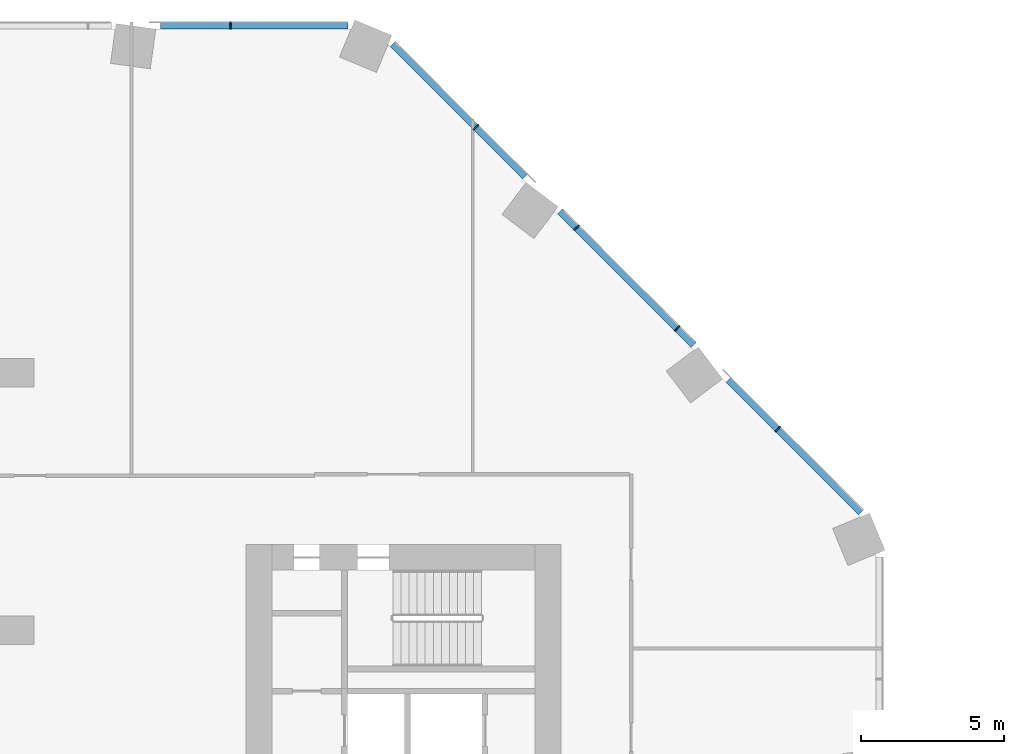
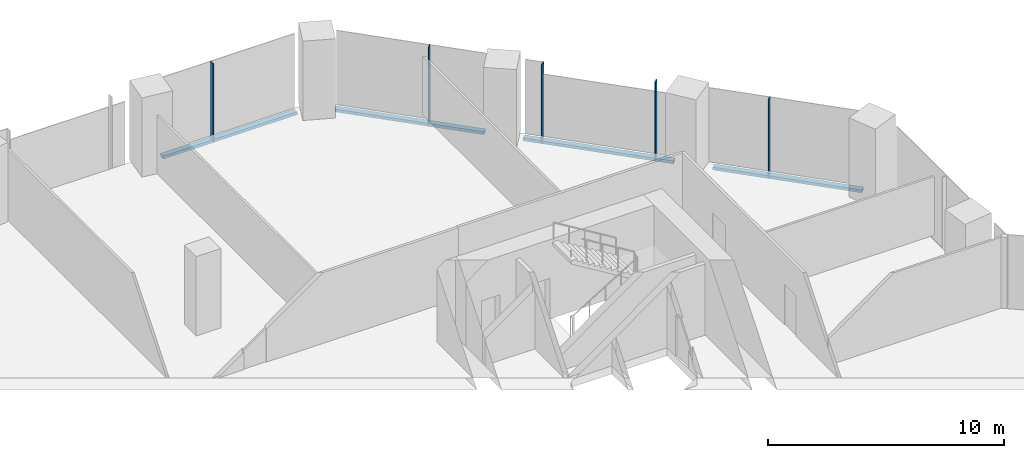
# One storey, part 11 of 29: 9 members, 2 elements without a shape of their own.
"""IFC4 building model written with IfcOpenShell, lengths in metres."""

from ifc_helpers import new_model, si_unit, direction, frame, origin, origin_2d, place, context, subcontext, project, spatial, rectangle, extrude, material, material_profile, profile_set, type_object, element, aggregate, save


model = new_model("IFC4")

# Units and contexts
model_context = context("Model", 3, precision=1e-05, world=origin(), true_north=direction((0.0, 1.0)))
body_context = subcontext(model_context, "Body", "Model", "MODEL_VIEW")
ifc_project = project(units=[si_unit("LENGTHUNIT", "METRE"), si_unit("AREAUNIT", "SQUARE_METRE"), si_unit("VOLUMEUNIT", "CUBIC_METRE"), si_unit("PLANEANGLEUNIT", "RADIAN"), si_unit("MASSUNIT", "GRAM", prefix="KILO")], contexts=[model_context])

# Site, building, storey
site_placement = place(None, origin())
site = spatial("IfcSite", under=ifc_project, at=site_placement, CompositionType="ELEMENT")
building_placement = place(site_placement, origin())
building = spatial("IfcBuilding", under=site, at=building_placement, Name="Orlundy Tower", CompositionType="ELEMENT")
storey_placement = place(building_placement, frame((0.0, 0.0, 29.199951171875)))
storey = spatial("IfcBuildingStorey", under=building, at=storey_placement, Name="L05", CompositionType="ELEMENT", Elevation=29.199951171875)

# Curtain wall, member
ifc_material_1 = material(Name="Aluminium bronze anodised", Category="aluminium")
curtain_wall_type = type_object("IfcCurtainWallType", Name="CW2 wall", PredefinedType="NOTDEFINED", material=ifc_material_1)
curtain_wall_1_placement = place(storey_placement, origin())
curtain_wall_1 = element("IfcCurtainWall", 1, at=curtain_wall_1_placement, inside=storey, type_object=curtain_wall_type, Name="CW2 run 015", PredefinedType="NOTDEFINED")
ifc_material_2 = material(Name="Aluminium bronze anodised", Category="aluminium")
ifc_material_profile_1 = material_profile(ifc_material_2, rectangle(XDim=0.25, YDim=0.050048828125, at=origin_2d()), Name="CW2 mullion 50x250")
ifc_profile_set_1 = profile_set([ifc_material_profile_1], Name="Aluminium bronze anodised")
member_type_1 = type_object("IfcMemberType", Name="CW2 mullion 50x250", PredefinedType="MULLION", material=ifc_profile_set_1)
member_1_placement = place(storey_placement, frame((7.45556640625, 30.125, -0.39990234375), z_axis=(0.0, 0.0, 1.0), x_axis=(0.0, 1.0, 0.0)))
member_1 = element("IfcMember", 2, at=member_1_placement, type_object=member_type_1, Name="CW2 mullion 43", PredefinedType="MULLION", context=body_context, shape_type="SweptSolid", body=[
    extrude(rectangle(XDim=0.25, YDim=0.050048828125, at=origin_2d()), origin(), (0.0, 0.0, 1.0), 4.079833984375),
])

# Curtain wall, members
curtain_wall_2_placement = place(storey_placement, origin())
curtain_wall_2 = element("IfcCurtainWall", 3, at=curtain_wall_2_placement, inside=storey, type_object=curtain_wall_type, Name="CW2 run 016", PredefinedType="NOTDEFINED")
member_2_placement = place(storey_placement, frame((16.029296875, 26.573486328125, -0.39990234375), z_axis=(0.0, 0.0, 1.0), x_axis=(0.707106781187, 0.707106781187, 0.0)))
member_2 = element("IfcMember", 4, at=member_2_placement, type_object=member_type_1, Name="CW2 mullion 45", PredefinedType="MULLION", context=body_context, shape_type="SweptSolid", body=[
    extrude(rectangle(XDim=0.25, YDim=0.050048828125, at=origin_2d()), origin(), (0.0, 0.0, 1.0), 4.079833984375),
])
member_3_placement = place(storey_placement, frame((19.5439453125, 23.058837890625, -0.39990234375), z_axis=(0.0, 0.0, 1.0), x_axis=(0.707106781187, 0.707106781187, 0.0)))
member_3 = element("IfcMember", 5, at=member_3_placement, type_object=member_type_1, Name="CW2 mullion 46", PredefinedType="MULLION", context=body_context, shape_type="SweptSolid", body=[
    extrude(rectangle(XDim=0.25, YDim=0.050048828125, at=origin_2d()), origin(), (0.0, 0.0, 1.0), 4.079833984375),
])
member_4_placement = place(storey_placement, frame((23.058837890625, 19.5439453125, -0.39990234375), z_axis=(0.0, 0.0, 1.0), x_axis=(0.707106781187, 0.707106781187, 0.0)))
member_4 = element("IfcMember", 6, at=member_4_placement, type_object=member_type_1, Name="CW2 mullion 47", PredefinedType="MULLION", context=body_context, shape_type="SweptSolid", body=[
    extrude(rectangle(XDim=0.25, YDim=0.050048828125, at=origin_2d()), origin(), (0.0, 0.0, 1.0), 4.079833984375),
])
member_5_placement = place(storey_placement, frame((26.573486328125, 16.029296875, -0.39990234375), z_axis=(0.0, 0.0, 1.0), x_axis=(0.707106781187, 0.707106781187, 0.0)))
member_5 = element("IfcMember", 7, at=member_5_placement, type_object=member_type_1, Name="CW2 mullion 48", PredefinedType="MULLION", context=body_context, shape_type="SweptSolid", body=[
    extrude(rectangle(XDim=0.25, YDim=0.050048828125, at=origin_2d()), origin(), (0.0, 0.0, 1.0), 4.079833984375),
])

# Member
ifc_material_3 = material(Name="Aluminium bronze anodised", Category="aluminium")
ifc_material_profile_2 = material_profile(ifc_material_3, rectangle(XDim=0.25, YDim=0.14990234375, at=origin_2d()), Name="CW2 transom 250x150")
ifc_profile_set_2 = profile_set([ifc_material_profile_2], Name="Aluminium bronze anodised")
member_type_2 = type_object("IfcMemberType", Name="CW2 transom 250x150", PredefinedType="USERDEFINED", material=ifc_profile_set_2)
member_6_placement = place(storey_placement, frame((5.01708984375, 30.125, -0.324951171875), z_axis=(1.0, 0.0, 0.0), x_axis=(0.0, 1.0, 0.0)))
member_6 = element("IfcMember", 8, at=member_6_placement, type_object=member_type_2, Name="CW2 transom", ObjectType="TRANSOM", PredefinedType="USERDEFINED", context=body_context, shape_type="SweptSolid", body=[
    extrude(rectangle(XDim=0.25, YDim=0.14990234375, at=origin_2d()), origin(), (0.0, 0.0, 1.0), 6.541259765625),
])

aggregate(curtain_wall_1, [member_1, member_6])

member_7_placement = place(storey_placement, frame((13.128662109375, 29.47412109375, -0.324951171875), z_axis=(0.707106781187, -0.707106781187, 0.0), x_axis=(0.707106781187, 0.707106781187, 0.0)))
member_7 = element("IfcMember", 9, at=member_7_placement, type_object=member_type_2, Name="CW2 transom", ObjectType="TRANSOM", PredefinedType="USERDEFINED", context=body_context, shape_type="SweptSolid", body=[
    extrude(rectangle(XDim=0.25, YDim=0.14990234375, at=origin_2d()), origin(), (0.0, 0.0, 1.0), 6.541015625),
])

member_8_placement = place(storey_placement, frame((18.96728515625, 23.635498046875, -0.324951171875), z_axis=(0.707106781187, -0.707106781187, 0.0), x_axis=(0.707106781187, 0.707106781187, 0.0)))
member_8 = element("IfcMember", 10, at=member_8_placement, type_object=member_type_2, Name="CW2 transom", ObjectType="TRANSOM", PredefinedType="USERDEFINED", context=body_context, shape_type="SweptSolid", body=[
    extrude(rectangle(XDim=0.25, YDim=0.14990234375, at=origin_2d()), origin(), (0.0, 0.0, 1.0), 6.601806640625),
])

member_9_placement = place(storey_placement, frame((24.848876953125, 17.75390625, -0.324951171875), z_axis=(0.707106781187, -0.707106781187, 0.0), x_axis=(0.707106781187, 0.707106781187, 0.0)))
member_9 = element("IfcMember", 11, at=member_9_placement, type_object=member_type_2, Name="CW2 transom", ObjectType="TRANSOM", PredefinedType="USERDEFINED", context=body_context, shape_type="SweptSolid", body=[
    extrude(rectangle(XDim=0.25, YDim=0.14990234375, at=origin_2d()), origin(), (0.0, 0.0, 1.0), 6.541015625),
])

aggregate(curtain_wall_2, [member_2, member_3, member_4, member_5, member_7, member_8, member_9])

save(model, "model.ifc")
